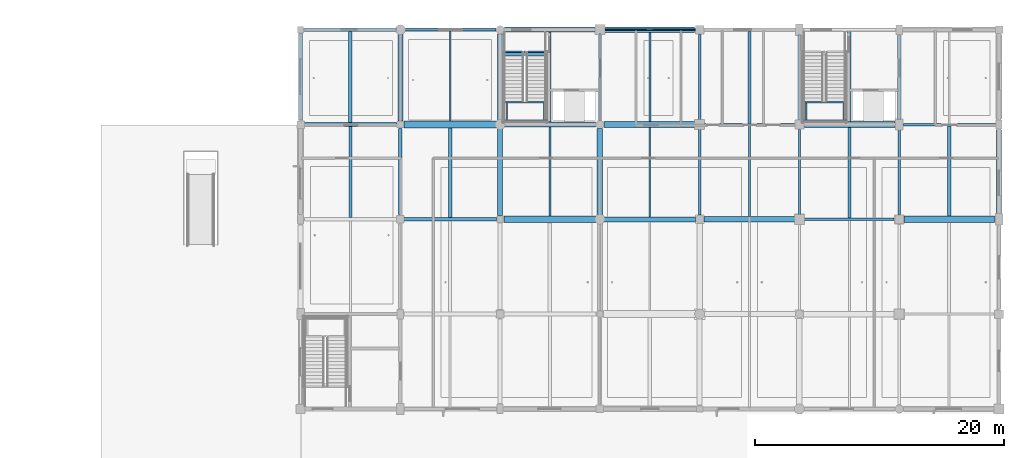
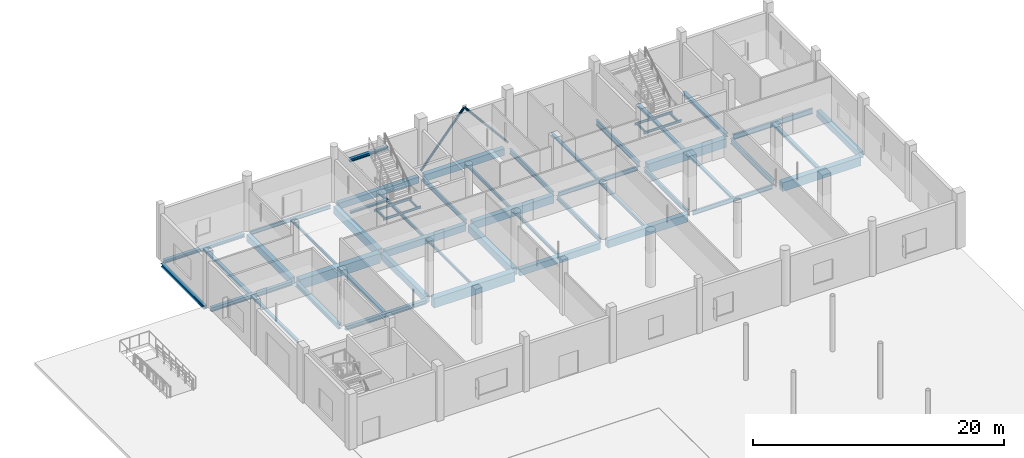
# One storey, part 47 of 126: 54 beams, 2 members.
"""IFC4 building model written with IfcOpenShell, lengths in metres."""

from ifc_helpers import new_model, si_unit, direction, frame, origin, origin_2d, place, context, subcontext, project, spatial, rectangle, hollow_circle, i_section, extrude, material, material_profile, profile_set, type_object, element, save


model = new_model("IFC4")

# Units and contexts
model_context = context("Model", 3, precision=1e-05, world=origin(), true_north=direction((0.0, 1.0)))
body_context = subcontext(model_context, "Body", "Model", "MODEL_VIEW")
ifc_project = project(units=[si_unit("LENGTHUNIT", "METRE"), si_unit("AREAUNIT", "SQUARE_METRE"), si_unit("VOLUMEUNIT", "CUBIC_METRE"), si_unit("PLANEANGLEUNIT", "RADIAN"), si_unit("MASSUNIT", "GRAM", prefix="KILO")], contexts=[model_context])

# Site, building, storey
site_placement = place(None, origin())
site = spatial("IfcSite", under=ifc_project, at=site_placement, CompositionType="ELEMENT")
building_placement = place(site_placement, origin())
building = spatial("IfcBuilding", under=site, at=building_placement, Name="Khelvaren Railside Concert Hall", CompositionType="ELEMENT")
storey_placement = place(building_placement, origin())
storey = spatial("IfcBuildingStorey", under=building, at=storey_placement, Name="L00", CompositionType="ELEMENT", Elevation=0.0)

# Beams
ifc_material_1 = material(Name="Steel S355", Category="steel")
ifc_material_profile_1 = material_profile(ifc_material_1, i_section(OverallWidth=0.300048828125, OverallDepth=0.389892578125, WebThickness=0.010986328125, FlangeThickness=0.01904296875, FilletRadius=0.027099609375, at=origin_2d()), Name="HEA 400")
ifc_profile_set_1 = profile_set([ifc_material_profile_1], Name="Steel S355")
beam_type_1 = type_object("IfcBeamType", Name="BM23", PredefinedType="BEAM", material=ifc_profile_set_1)
for number, where, z_axis, x_axis, name in (
    (1, (136.25, 98.800048828125, -0.514892578125), (1.0, 0.0, 0.0), (0.0, 1.0, 0.0), "V5 L00 Beam X3.2"),
    (2, (128.25, 106.39990234375, -0.514892578125), (1.0, 0.0, 0.0), (0.0, 1.0, 0.0), "V5 L00 Beam X4.1"),
):
    element("IfcBeam", number, at=place(storey_placement, frame(where, z_axis=z_axis, x_axis=x_axis)), inside=storey, type_object=beam_type_1, Name=name, PredefinedType="BEAM", context=body_context, shape_type="SweptSolid", body=[
        extrude(i_section(OverallWidth=0.300048828125, OverallDepth=0.389892578125, WebThickness=0.010986328125, FlangeThickness=0.01904296875, FilletRadius=0.027099609375, at=origin_2d()), origin(), (0.0, 0.0, 1.0), 7.449951171875),
    ])
ifc_material_profile_2 = material_profile(ifc_material_1, i_section(OverallWidth=0.179931640625, OverallDepth=0.39990234375, WebThickness=0.008544921875, FlangeThickness=0.013427734375, FilletRadius=0.02099609375, at=origin_2d()), Name="IPE 400")
ifc_profile_set_2 = profile_set([ifc_material_profile_2], Name="Steel S355")
beam_type_2 = type_object("IfcBeamType", Name="BM29", PredefinedType="BEAM", material=ifc_profile_set_2)
for number, where, z_axis, x_axis, name in (
    (3, (168.27294921875, 98.800048828125, -0.52001953125), (1.0, 0.0, 0.0), (0.0, 1.0, 0.0), "V5 L00 Beam X3.6"),
    (4, (160.27294921875, 106.39990234375, -0.52001953125), (1.0, 0.0, 0.0), (0.0, 1.0, 0.0), "V5 L00 Beam X4.5"),
):
    element("IfcBeam", number, at=place(storey_placement, frame(where, z_axis=z_axis, x_axis=x_axis)), inside=storey, type_object=beam_type_2, Name=name, PredefinedType="BEAM", context=body_context, shape_type="SweptSolid", body=[
        extrude(i_section(OverallWidth=0.179931640625, OverallDepth=0.39990234375, WebThickness=0.008544921875, FlangeThickness=0.013427734375, FilletRadius=0.02099609375, at=origin_2d()), origin(), (0.0, 0.0, 1.0), 7.3271484375),
    ])
for number, where, z_axis, x_axis, name in (
    (5, (152.0, 106.736083984375, -0.52001953125), (0.0, 1.0, 0.0), (-1.0, 0.0, 0.0), "V5 L00 Beam Y4.4"),
    (6, (160.0, 99.135986328125, -0.52001953125), (0.0, 1.0, 0.0), (-1.0, 0.0, 0.0), "V5 L00 Beam Y5.3"),
):
    element("IfcBeam", number, at=place(storey_placement, frame(where, z_axis=z_axis, x_axis=x_axis)), inside=storey, type_object=beam_type_2, Name=name, PredefinedType="BEAM", context=body_context, shape_type="SweptSolid", body=[
        extrude(i_section(OverallWidth=0.179931640625, OverallDepth=0.39990234375, WebThickness=0.008544921875, FlangeThickness=0.013427734375, FilletRadius=0.02099609375, at=origin_2d()), origin(), (0.0, 0.0, 1.0), 6.990966796875),
    ])
ifc_material_2 = material(Name="Concrete C40/50", Category="concrete")
ifc_material_profile_3 = material_profile(ifc_material_2, rectangle(XDim=0.39990234375, YDim=0.64990234375, at=origin_2d()), Name="RCB 400x650")
ifc_profile_set_3 = profile_set([ifc_material_profile_3], Name="Concrete C40/50")
beam_type_3 = type_object("IfcBeamType", Name="BM33", PredefinedType="BEAM", material=ifc_profile_set_3)
for number, where, z_axis, x_axis, name in (
    (7, (152.25, 98.800048828125, -0.64501953125), (1.0, 0.0, 0.0), (0.0, 1.0, 0.0), "V5 L00 Beam X3.4"),
    (8, (144.25, 106.39990234375, -0.64501953125), (1.0, 0.0, 0.0), (0.0, 1.0, 0.0), "V5 L00 Beam X4.3"),
):
    element("IfcBeam", number, at=place(storey_placement, frame(where, z_axis=z_axis, x_axis=x_axis)), inside=storey, type_object=beam_type_3, Name=name, PredefinedType="BEAM", context=body_context, shape_type="SweptSolid", body=[
        extrude(rectangle(XDim=0.39990234375, YDim=0.64990234375, at=origin_2d()), origin(), (0.0, 0.0, 1.0), 7.4140625),
    ])
beam_1_placement = place(storey_placement, frame((136.0, 106.699951171875, -0.64501953125), z_axis=(0.0, 1.0, 0.0), x_axis=(-1.0, 0.0, 0.0)))
element("IfcBeam", 9, at=beam_1_placement, inside=storey, type_object=beam_type_3, Name="V5 L00 Beam Y2.4", PredefinedType="BEAM", context=body_context, shape_type="SweptSolid", body=[
    extrude(rectangle(XDim=0.39990234375, YDim=0.64990234375, at=origin_2d()), origin(), (0.0, 0.0, 1.0), 7.050048828125),
])
beam_2_placement = place(storey_placement, frame((144.0, 99.10009765625, -0.64501953125), z_axis=(0.0, 1.0, 0.0), x_axis=(-1.0, 0.0, 0.0)))
element("IfcBeam", 10, at=beam_2_placement, inside=storey, type_object=beam_type_3, Name="V5 L00 Beam Y3.3", PredefinedType="BEAM", context=body_context, shape_type="SweptSolid", body=[
    extrude(rectangle(XDim=0.39990234375, YDim=0.64990234375, at=origin_2d()), origin(), (0.0, 0.0, 1.0), 7.0498046875),
])
ifc_material_profile_4 = material_profile(ifc_material_1, i_section(OverallWidth=0.239990234375, OverallDepth=0.22998046875, WebThickness=0.007568359375, FlangeThickness=0.011962890625, FilletRadius=0.02099609375, at=origin_2d()), Name="HEA 240")
ifc_profile_set_4 = profile_set([ifc_material_profile_4], Name="Steel S355")
beam_type_4 = type_object("IfcBeamType", Name="BM42", PredefinedType="BEAM", material=ifc_profile_set_4)
beam_3_placement = place(storey_placement, frame((144.344970703125, 112.039306640625, -0.114990234375), z_axis=(1.0, 0.0, 0.0), x_axis=(0.0, 1.0, 0.0)))
element("IfcBeam", 11, at=beam_3_placement, inside=storey, type_object=beam_type_4, Name="ST-09 L00 Stair Foot Trimmer Beam", PredefinedType="BEAM", context=body_context, shape_type="SweptSolid", body=[
    extrude(i_section(OverallWidth=0.239990234375, OverallDepth=0.22998046875, WebThickness=0.007568359375, FlangeThickness=0.011962890625, FilletRadius=0.02099609375, at=origin_2d()), origin(), (0.0, 0.0, 1.0), 3.4951171875),
])
ifc_material_profile_5 = material_profile(ifc_material_1, i_section(OverallWidth=0.199951171875, OverallDepth=0.5, WebThickness=0.01025390625, FlangeThickness=0.01611328125, FilletRadius=0.02099609375, at=origin_2d()), Name="IPE 500")
ifc_profile_set_5 = profile_set([ifc_material_profile_5], Name="Steel S355")
beam_type_5 = type_object("IfcBeamType", Name="BM62", PredefinedType="BEAM", material=ifc_profile_set_5)
beam_4_placement = place(storey_placement, frame((176.35009765625, 106.39990234375, -0.570068359375), z_axis=(1.0, 0.0, 0.0), x_axis=(0.0, 1.0, 0.0)))
element("IfcBeam", 12, at=beam_4_placement, inside=storey, type_object=beam_type_5, Name="V5 L00 Beam X4.7", PredefinedType="BEAM", context=body_context, shape_type="SweptSolid", body=[
    extrude(i_section(OverallWidth=0.199951171875, OverallDepth=0.5, WebThickness=0.01025390625, FlangeThickness=0.01611328125, FilletRadius=0.02099609375, at=origin_2d()), origin(), (0.0, 0.0, 1.0), 7.349853515625),
])
beam_5_placement = place(storey_placement, frame((168.0, 106.800048828125, -0.570068359375), z_axis=(0.0, 1.0, 0.0), x_axis=(-1.0, 0.0, 0.0)))
element("IfcBeam", 13, at=beam_5_placement, inside=storey, type_object=beam_type_5, Name="V5 L00 Beam Y6.4", PredefinedType="BEAM", context=body_context, shape_type="SweptSolid", body=[
    extrude(i_section(OverallWidth=0.199951171875, OverallDepth=0.5, WebThickness=0.01025390625, FlangeThickness=0.01611328125, FilletRadius=0.02099609375, at=origin_2d()), origin(), (0.0, 0.0, 1.0), 6.849853515625),
])
beam_6_placement = place(storey_placement, frame((176.0, 99.199951171875, -0.570068359375), z_axis=(0.0, 1.0, 0.0), x_axis=(-1.0, 0.0, 0.0)))
element("IfcBeam", 14, at=beam_6_placement, inside=storey, type_object=beam_type_5, Name="V5 L00 Beam Y7.3", PredefinedType="BEAM", context=body_context, shape_type="SweptSolid", body=[
    extrude(i_section(OverallWidth=0.199951171875, OverallDepth=0.5, WebThickness=0.01025390625, FlangeThickness=0.01611328125, FilletRadius=0.02099609375, at=origin_2d()), origin(), (0.0, 0.0, 1.0), 6.85009765625),
])
ifc_material_profile_6 = material_profile(ifc_material_1, i_section(OverallWidth=0.300048828125, OverallDepth=0.35009765625, WebThickness=0.010009765625, FlangeThickness=0.017578125, FilletRadius=0.027099609375, at=origin_2d()), Name="HEA 360")
ifc_profile_set_6 = profile_set([ifc_material_profile_6], Name="Steel S355")
beam_type_6 = type_object("IfcBeamType", Name="BM73", PredefinedType="BEAM", material=ifc_profile_set_6)
beam_7_placement = place(storey_placement, frame((176.0, 106.75, -0.4951171875), z_axis=(0.0, 1.0, 0.0), x_axis=(-1.0, 0.0, 0.0)))
element("IfcBeam", 15, at=beam_7_placement, inside=storey, type_object=beam_type_6, Name="V5 L00 Beam Y7.4", PredefinedType="BEAM", context=body_context, shape_type="SweptSolid", body=[
    extrude(i_section(OverallWidth=0.300048828125, OverallDepth=0.35009765625, WebThickness=0.010009765625, FlangeThickness=0.017578125, FilletRadius=0.027099609375, at=origin_2d()), origin(), (0.0, 0.0, 1.0), 6.800048828125),
])
ifc_material_profile_7 = material_profile(ifc_material_2, rectangle(XDim=0.449951171875, YDim=0.75, at=origin_2d()), Name="RCB 450x750")
ifc_profile_set_7 = profile_set([ifc_material_profile_7], Name="Concrete C40/50")
beam_type_7 = type_object("IfcBeamType", Name="BM83", PredefinedType="BEAM", material=ifc_profile_set_7)
for number, where, z_axis, x_axis, name in (
    (16, (160.3359375, 98.800048828125, -0.695068359375), (1.0, 0.0, 0.0), (0.0, 1.0, 0.0), "V5 L00 Beam X3.5"),
    (17, (152.3359375, 106.39990234375, -0.695068359375), (1.0, 0.0, 0.0), (0.0, 1.0, 0.0), "V5 L00 Beam X4.4"),
):
    element("IfcBeam", number, at=place(storey_placement, frame(where, z_axis=z_axis, x_axis=x_axis)), inside=storey, type_object=beam_type_7, Name=name, PredefinedType="BEAM", context=body_context, shape_type="SweptSolid", body=[
        extrude(rectangle(XDim=0.449951171875, YDim=0.75, at=origin_2d()), origin(), (0.0, 0.0, 1.0), 7.39111328125),
    ])
beam_8_placement = place(storey_placement, frame((144.0, 106.64990234375, -0.695068359375), z_axis=(0.0, 1.0, 0.0), x_axis=(-1.0, 0.0, 0.0)))
element("IfcBeam", 18, at=beam_8_placement, inside=storey, type_object=beam_type_7, Name="V5 L00 Beam Y3.4", PredefinedType="BEAM", context=body_context, shape_type="SweptSolid", body=[
    extrude(rectangle(XDim=0.449951171875, YDim=0.75, at=origin_2d()), origin(), (0.0, 0.0, 1.0), 7.01416015625),
])
beam_9_placement = place(storey_placement, frame((152.0, 99.050048828125, -0.695068359375), z_axis=(0.0, 1.0, 0.0), x_axis=(-1.0, 0.0, 0.0)))
element("IfcBeam", 19, at=beam_9_placement, inside=storey, type_object=beam_type_7, Name="V5 L00 Beam Y4.3", PredefinedType="BEAM", context=body_context, shape_type="SweptSolid", body=[
    extrude(rectangle(XDim=0.449951171875, YDim=0.75, at=origin_2d()), origin(), (0.0, 0.0, 1.0), 7.013916015625),
])
ifc_material_profile_8 = material_profile(ifc_material_1, i_section(OverallWidth=0.110107421875, OverallDepth=0.219970703125, WebThickness=0.005859375, FlangeThickness=0.00927734375, FilletRadius=0.011962890625, at=origin_2d()), Name="IPE 220")
ifc_profile_set_8 = profile_set([ifc_material_profile_8], Name="Steel S355")
beam_type_8 = type_object("IfcBeamType", Name="BM87", PredefinedType="BEAM", material=ifc_profile_set_8)
for number, where, z_axis, x_axis, name in (
    (20, (144.344970703125, 108.175048828125, 2.389892578125), (1.0, 0.0, 0.0), (0.0, 1.0, 0.0), "ST-09 L00 Half-Landing Front Beam"),
    (21, (144.344970703125, 106.760009765625, 2.389892578125), (1.0, 0.0, 0.0), (0.0, 1.0, 0.0), "ST-09 L00 Half-Landing Rear Beam"),
):
    element("IfcBeam", number, at=place(storey_placement, frame(where, z_axis=z_axis, x_axis=x_axis)), inside=storey, type_object=beam_type_8, Name=name, PredefinedType="BEAM", context=body_context, shape_type="SweptSolid", body=[
        extrude(i_section(OverallWidth=0.110107421875, OverallDepth=0.219970703125, WebThickness=0.005859375, FlangeThickness=0.00927734375, FilletRadius=0.011962890625, at=origin_2d()), origin(), (0.0, 0.0, 1.0), 3.4951171875),
    ])
for number, where, z_axis, x_axis, name in (
    (22, (144.550048828125, 106.81494140625, 2.389892578125), (0.0, 1.0, 0.0), (-1.0, 0.0, 0.0), "ST-09 L00 Half-Landing Side Tie W"),
    (23, (147.550048828125, 106.81494140625, 2.389892578125), (0.0, 1.0, 0.0), (-1.0, 0.0, 0.0), "ST-09 L00 Half-Landing Side Tie E"),
):
    element("IfcBeam", number, at=place(storey_placement, frame(where, z_axis=z_axis, x_axis=x_axis)), inside=storey, type_object=beam_type_8, Name=name, PredefinedType="BEAM", context=body_context, shape_type="SweptSolid", body=[
        extrude(i_section(OverallWidth=0.110107421875, OverallDepth=0.219970703125, WebThickness=0.005859375, FlangeThickness=0.00927734375, FilletRadius=0.011962890625, at=origin_2d()), origin(), (0.0, 0.0, 1.0), 1.30517578125),
    ])
for number, where, z_axis, x_axis, name in (
    (24, (168.344970703125, 108.175048828125, 2.389892578125), (1.0, 0.0, 0.0), (0.0, 1.0, 0.0), "ST-10 L00 Half-Landing Front Beam"),
    (25, (168.344970703125, 106.760009765625, 2.389892578125), (1.0, 0.0, 0.0), (0.0, 1.0, 0.0), "ST-10 L00 Half-Landing Rear Beam"),
):
    element("IfcBeam", number, at=place(storey_placement, frame(where, z_axis=z_axis, x_axis=x_axis)), inside=storey, type_object=beam_type_8, Name=name, PredefinedType="BEAM", context=body_context, shape_type="SweptSolid", body=[
        extrude(i_section(OverallWidth=0.110107421875, OverallDepth=0.219970703125, WebThickness=0.005859375, FlangeThickness=0.00927734375, FilletRadius=0.011962890625, at=origin_2d()), origin(), (0.0, 0.0, 1.0), 3.4951171875),
    ])
for number, where, z_axis, x_axis, name in (
    (26, (168.550048828125, 106.81494140625, 2.389892578125), (0.0, 1.0, 0.0), (-1.0, 0.0, 0.0), "ST-10 L00 Half-Landing Side Tie W"),
    (27, (171.550048828125, 106.81494140625, 2.389892578125), (0.0, 1.0, 0.0), (-1.0, 0.0, 0.0), "ST-10 L00 Half-Landing Side Tie E"),
):
    element("IfcBeam", number, at=place(storey_placement, frame(where, z_axis=z_axis, x_axis=x_axis)), inside=storey, type_object=beam_type_8, Name=name, PredefinedType="BEAM", context=body_context, shape_type="SweptSolid", body=[
        extrude(i_section(OverallWidth=0.110107421875, OverallDepth=0.219970703125, WebThickness=0.005859375, FlangeThickness=0.00927734375, FilletRadius=0.011962890625, at=origin_2d()), origin(), (0.0, 0.0, 1.0), 1.30517578125),
    ])
ifc_material_profile_9 = material_profile(ifc_material_1, i_section(OverallWidth=0.300048828125, OverallDepth=0.43994140625, WebThickness=0.011474609375, FlangeThickness=0.02099609375, FilletRadius=0.027099609375, at=origin_2d()), Name="HEA 450")
ifc_profile_set_9 = profile_set([ifc_material_profile_9], Name="Steel S355")
beam_type_9 = type_object("IfcBeamType", Name="BM89", PredefinedType="BEAM", material=ifc_profile_set_9)
beam_10_placement = place(storey_placement, frame((136.0, 99.175048828125, -0.5400390625), z_axis=(0.0, 1.0, 0.0), x_axis=(-1.0, 0.0, 0.0)))
element("IfcBeam", 28, at=beam_10_placement, inside=storey, type_object=beam_type_9, Name="V5 L00 Beam Y2.3", PredefinedType="BEAM", context=body_context, shape_type="SweptSolid", body=[
    extrude(i_section(OverallWidth=0.300048828125, OverallDepth=0.43994140625, WebThickness=0.011474609375, FlangeThickness=0.02099609375, FilletRadius=0.027099609375, at=origin_2d()), origin(), (0.0, 0.0, 1.0), 6.925048828125),
])
ifc_material_profile_10 = material_profile(ifc_material_1, i_section(OverallWidth=0.280029296875, OverallDepth=0.27001953125, WebThickness=0.008056640625, FlangeThickness=0.012939453125, FilletRadius=0.02392578125, at=origin_2d()), Name="HEA 280")
ifc_profile_set_10 = profile_set([ifc_material_profile_10], Name="Steel S355")
beam_type_10 = type_object("IfcBeamType", Name="BM93", PredefinedType="BEAM", material=ifc_profile_set_10)
beam_11_placement = place(storey_placement, frame((144.344970703125, 112.139892578125, 4.90673828125), z_axis=(1.0, 0.0, 0.0), x_axis=(0.0, 1.0, 0.0)))
element("IfcBeam", 29, at=beam_11_placement, inside=storey, type_object=beam_type_10, Name="ST-09 L00 Stair Top Arrival Trimmer Beam", PredefinedType="BEAM", context=body_context, shape_type="SweptSolid", body=[
    extrude(i_section(OverallWidth=0.280029296875, OverallDepth=0.27001953125, WebThickness=0.008056640625, FlangeThickness=0.012939453125, FilletRadius=0.02392578125, at=origin_2d()), origin(), (0.0, 0.0, 1.0), 3.4951171875),
])
ifc_material_profile_11 = material_profile(ifc_material_1, i_section(OverallWidth=0.18994140625, OverallDepth=0.449951171875, WebThickness=0.009521484375, FlangeThickness=0.0146484375, FilletRadius=0.02099609375, at=origin_2d()), Name="IPE 450")
ifc_profile_set_11 = profile_set([ifc_material_profile_11], Name="Steel S355")
beam_type_11 = type_object("IfcBeamType", Name="BM95", PredefinedType="BEAM", material=ifc_profile_set_11)
for number, where, z_axis, x_axis, name in (
    (30, (160.0, 106.673095703125, -0.544921875), (0.0, 1.0, 0.0), (-1.0, 0.0, 0.0), "V5 L00 Beam Y5.4"),
    (31, (168.0, 99.072998046875, -0.544921875), (0.0, 1.0, 0.0), (-1.0, 0.0, 0.0), "V5 L00 Beam Y6.3"),
):
    element("IfcBeam", number, at=place(storey_placement, frame(where, z_axis=z_axis, x_axis=x_axis)), inside=storey, type_object=beam_type_11, Name=name, PredefinedType="BEAM", context=body_context, shape_type="SweptSolid", body=[
        extrude(i_section(OverallWidth=0.18994140625, OverallDepth=0.449951171875, WebThickness=0.009521484375, FlangeThickness=0.0146484375, FilletRadius=0.02099609375, at=origin_2d()), origin(), (0.0, 0.0, 1.0), 6.927001953125),
    ])

# Members
ifc_material_profile_12 = material_profile(ifc_material_1, hollow_circle(Radius=0.109619140625, WallThickness=0.012451171875, at=origin_2d()), Name="CHS 219.1x12.5")
ifc_profile_set_12 = profile_set([ifc_material_profile_12], Name="Steel S355")
member_type = type_object("IfcMemberType", Name="BR37", PredefinedType="BRACE", material=ifc_profile_set_12)
for number, where, z_axis, x_axis, name in (
    (32, (152.0, 114.0, 0.050048828125), (0.640180556359, 0.0, 0.768224482335), (0.0, 1.0, 0.0), "V5 L00 Seismic Chevron Brace 57"),
    (33, (160.0, 114.0, 0.050048828125), (-0.640180556359, 0.0, 0.768224482335), (0.0, -1.0, 0.0), "V5 L00 Seismic Chevron Brace 58"),
):
    element("IfcMember", number, at=place(storey_placement, frame(where, z_axis=z_axis, x_axis=x_axis)), inside=storey, type_object=member_type, Name=name, PredefinedType="BRACE", context=body_context, shape_type="SweptSolid", body=[
        extrude(hollow_circle(Radius=0.109619140625, WallThickness=0.012451171875, at=origin_2d()), origin(), (0.0, 0.0, 1.0), 6.248291015625),
    ])

# Beams
ifc_material_profile_13 = material_profile(ifc_material_2, rectangle(XDim=0.550048828125, YDim=0.949951171875, at=origin_2d()), Name="RCB 550x950")
ifc_profile_set_13 = profile_set([ifc_material_profile_13], Name="Concrete C40/50")
beam_type_12 = type_object("IfcBeamType", Name="GR57", PredefinedType="T_BEAM", material=ifc_profile_set_13)
for number, where, z_axis, x_axis, name in (
    (34, (144.300048828125, 98.800048828125, -0.794921875), (1.0, 0.0, 0.0), (0.0, 1.0, 0.0), "V5 L00 T_Beam X3.3"),
    (35, (136.300048828125, 106.39990234375, -0.794921875), (1.0, 0.0, 0.0), (0.0, 1.0, 0.0), "V5 L00 T_Beam X4.2"),
):
    element("IfcBeam", number, at=place(storey_placement, frame(where, z_axis=z_axis, x_axis=x_axis)), inside=storey, type_object=beam_type_12, Name=name, PredefinedType="T_BEAM", context=body_context, shape_type="SweptSolid", body=[
        extrude(rectangle(XDim=0.550048828125, YDim=0.949951171875, at=origin_2d()), origin(), (0.0, 0.0, 1.0), 7.449951171875),
    ])
ifc_material_profile_14 = material_profile(ifc_material_2, rectangle(XDim=0.5, YDim=0.85009765625, at=origin_2d()), Name="RCB 500x850")
ifc_profile_set_14 = profile_set([ifc_material_profile_14], Name="Concrete C40/50")
beam_type_13 = type_object("IfcBeamType", Name="GR96", PredefinedType="T_BEAM", material=ifc_profile_set_14)
for number, where, z_axis, x_axis, name in (
    (36, (176.39990234375, 98.800048828125, -0.7451171875), (1.0, 0.0, 0.0), (0.0, 1.0, 0.0), "V5 L00 T_Beam X3.7"),
    (37, (168.39990234375, 106.39990234375, -0.7451171875), (1.0, 0.0, 0.0), (0.0, 1.0, 0.0), "V5 L00 T_Beam X4.6"),
):
    element("IfcBeam", number, at=place(storey_placement, frame(where, z_axis=z_axis, x_axis=x_axis)), inside=storey, type_object=beam_type_13, Name=name, PredefinedType="T_BEAM", context=body_context, shape_type="SweptSolid", body=[
        extrude(rectangle(XDim=0.5, YDim=0.85009765625, at=origin_2d()), origin(), (0.0, 0.0, 1.0), 7.25),
    ])
ifc_material_profile_15 = material_profile(ifc_material_1, i_section(OverallWidth=0.14990234375, OverallDepth=0.300048828125, WebThickness=0.007080078125, FlangeThickness=0.0107421875, FilletRadius=0.014892578125, at=origin_2d()), Name="IPE 300")
ifc_profile_set_15 = profile_set([ifc_material_profile_15], Name="Steel S355")
beam_type_14 = type_object("IfcBeamType", Name="JS26", PredefinedType="JOIST", material=ifc_profile_set_15)
beam_12_placement = place(storey_placement, frame((148.0, 106.60009765625, -0.469970703125), z_axis=(0.0, 1.0, 0.0), x_axis=(-1.0, 0.0, 0.0)))
element("IfcBeam", 38, at=beam_12_placement, inside=storey, type_object=beam_type_14, Name="V5 L00 Secondary Joist 3.4", PredefinedType="JOIST", context=body_context, shape_type="SweptSolid", body=[
    extrude(i_section(OverallWidth=0.14990234375, OverallDepth=0.300048828125, WebThickness=0.007080078125, FlangeThickness=0.0107421875, FilletRadius=0.014892578125, at=origin_2d()), origin(), (0.0, 0.0, 1.0), 7.199951171875),
])
beam_13_placement = place(storey_placement, frame((156.0, 99.0, -0.469970703125), z_axis=(0.0, 1.0, 0.0), x_axis=(-1.0, 0.0, 0.0)))
element("IfcBeam", 39, at=beam_13_placement, inside=storey, type_object=beam_type_14, Name="V5 L00 Secondary Joist 4.3", PredefinedType="JOIST", context=body_context, shape_type="SweptSolid", body=[
    extrude(i_section(OverallWidth=0.14990234375, OverallDepth=0.300048828125, WebThickness=0.007080078125, FlangeThickness=0.0107421875, FilletRadius=0.014892578125, at=origin_2d()), origin(), (0.0, 0.0, 1.0), 7.175048828125),
])
ifc_material_profile_16 = material_profile(ifc_material_1, i_section(OverallWidth=0.280029296875, OverallDepth=0.27001953125, WebThickness=0.008056640625, FlangeThickness=0.012939453125, FilletRadius=0.02392578125, at=origin_2d()), Name="HEA 280")
ifc_profile_set_16 = profile_set([ifc_material_profile_16], Name="Steel S355")
beam_type_15 = type_object("IfcBeamType", Name="JS46", PredefinedType="JOIST", material=ifc_profile_set_16)
beam_14_placement = place(storey_placement, frame((132.0, 106.550048828125, -0.455078125), z_axis=(0.0, 1.0, 0.0), x_axis=(-1.0, 0.0, 0.0)))
element("IfcBeam", 40, at=beam_14_placement, inside=storey, type_object=beam_type_15, Name="V5 L00 Secondary Joist 1.4", PredefinedType="JOIST", context=body_context, shape_type="SweptSolid", body=[
    extrude(i_section(OverallWidth=0.280029296875, OverallDepth=0.27001953125, WebThickness=0.008056640625, FlangeThickness=0.012939453125, FilletRadius=0.02392578125, at=origin_2d()), origin(), (0.0, 0.0, 1.0), 7.300048828125),
])
beam_15_placement = place(storey_placement, frame((140.0, 98.949951171875, -0.455078125), z_axis=(0.0, 1.0, 0.0), x_axis=(-1.0, 0.0, 0.0)))
element("IfcBeam", 41, at=beam_15_placement, inside=storey, type_object=beam_type_15, Name="V5 L00 Secondary Joist 2.3", PredefinedType="JOIST", context=body_context, shape_type="SweptSolid", body=[
    extrude(i_section(OverallWidth=0.280029296875, OverallDepth=0.27001953125, WebThickness=0.008056640625, FlangeThickness=0.012939453125, FilletRadius=0.02392578125, at=origin_2d()), origin(), (0.0, 0.0, 1.0), 7.175048828125),
])
beam_16_placement = place(storey_placement, frame((172.0, 106.64990234375, -0.455078125), z_axis=(0.0, 1.0, 0.0), x_axis=(-1.0, 0.0, 0.0)))
element("IfcBeam", 42, at=beam_16_placement, inside=storey, type_object=beam_type_15, Name="V5 L00 Secondary Joist 6.4", PredefinedType="JOIST", context=body_context, shape_type="SweptSolid", body=[
    extrude(i_section(OverallWidth=0.280029296875, OverallDepth=0.27001953125, WebThickness=0.008056640625, FlangeThickness=0.012939453125, FilletRadius=0.02392578125, at=origin_2d()), origin(), (0.0, 0.0, 1.0), 7.26513671875),
])
beam_17_placement = place(storey_placement, frame((180.0, 99.050048828125, -0.455078125), z_axis=(0.0, 1.0, 0.0), x_axis=(-1.0, 0.0, 0.0)))
element("IfcBeam", 43, at=beam_17_placement, inside=storey, type_object=beam_type_15, Name="V5 L00 Secondary Joist 7.3", PredefinedType="JOIST", context=body_context, shape_type="SweptSolid", body=[
    extrude(i_section(OverallWidth=0.280029296875, OverallDepth=0.27001953125, WebThickness=0.008056640625, FlangeThickness=0.012939453125, FilletRadius=0.02392578125, at=origin_2d()), origin(), (0.0, 0.0, 1.0), 7.25),
])
ifc_material_profile_17 = material_profile(ifc_material_1, i_section(OverallWidth=0.159912109375, OverallDepth=0.330078125, WebThickness=0.007568359375, FlangeThickness=0.011474609375, FilletRadius=0.01806640625, at=origin_2d()), Name="IPE 330")
ifc_profile_set_17 = profile_set([ifc_material_profile_17], Name="Steel S355")
beam_type_16 = type_object("IfcBeamType", Name="JS65", PredefinedType="JOIST", material=ifc_profile_set_17)
beam_18_placement = place(storey_placement, frame((156.0, 106.625, -0.485107421875), z_axis=(0.0, 1.0, 0.0), x_axis=(-1.0, 0.0, 0.0)))
element("IfcBeam", 44, at=beam_18_placement, inside=storey, type_object=beam_type_16, Name="V5 L00 Secondary Joist 4.4", PredefinedType="JOIST", context=body_context, shape_type="SweptSolid", body=[
    extrude(i_section(OverallWidth=0.159912109375, OverallDepth=0.330078125, WebThickness=0.007568359375, FlangeThickness=0.011474609375, FilletRadius=0.01806640625, at=origin_2d()), origin(), (0.0, 0.0, 1.0), 7.14990234375),
])
beam_19_placement = place(storey_placement, frame((164.0, 99.02490234375, -0.485107421875), z_axis=(0.0, 1.0, 0.0), x_axis=(-1.0, 0.0, 0.0)))
element("IfcBeam", 45, at=beam_19_placement, inside=storey, type_object=beam_type_16, Name="V5 L00 Secondary Joist 5.3", PredefinedType="JOIST", context=body_context, shape_type="SweptSolid", body=[
    extrude(i_section(OverallWidth=0.159912109375, OverallDepth=0.330078125, WebThickness=0.007568359375, FlangeThickness=0.011474609375, FilletRadius=0.01806640625, at=origin_2d()), origin(), (0.0, 0.0, 1.0), 7.28515625),
])
ifc_material_profile_18 = material_profile(ifc_material_1, i_section(OverallWidth=0.239990234375, OverallDepth=0.22998046875, WebThickness=0.007568359375, FlangeThickness=0.011962890625, FilletRadius=0.02099609375, at=origin_2d()), Name="HEA 240")
ifc_profile_set_18 = profile_set([ifc_material_profile_18], Name="Steel S355")
beam_type_17 = type_object("IfcBeamType", Name="JS76", PredefinedType="JOIST", material=ifc_profile_set_18)
beam_20_placement = place(storey_placement, frame((132.0, 98.949951171875, -0.43505859375), z_axis=(0.0, 1.0, 0.0), x_axis=(-1.0, 0.0, 0.0)))
element("IfcBeam", 46, at=beam_20_placement, inside=storey, type_object=beam_type_17, Name="V5 L00 Secondary Joist 1.3", PredefinedType="JOIST", context=body_context, shape_type="SweptSolid", body=[
    extrude(i_section(OverallWidth=0.239990234375, OverallDepth=0.22998046875, WebThickness=0.007568359375, FlangeThickness=0.011962890625, FilletRadius=0.02099609375, at=origin_2d()), origin(), (0.0, 0.0, 1.0), 7.300048828125),
])
beam_21_placement = place(storey_placement, frame((164.0, 106.489990234375, -0.43505859375), z_axis=(0.0, 1.0, 0.0), x_axis=(-1.0, 0.0, 0.0)))
element("IfcBeam", 47, at=beam_21_placement, inside=storey, type_object=beam_type_17, Name="V5 L00 Secondary Joist 5.4", PredefinedType="JOIST", context=body_context, shape_type="SweptSolid", body=[
    extrude(i_section(OverallWidth=0.239990234375, OverallDepth=0.22998046875, WebThickness=0.007568359375, FlangeThickness=0.011962890625, FilletRadius=0.02099609375, at=origin_2d()), origin(), (0.0, 0.0, 1.0), 7.360107421875),
])
beam_22_placement = place(storey_placement, frame((172.0, 98.889892578125, -0.43505859375), z_axis=(0.0, 1.0, 0.0), x_axis=(-1.0, 0.0, 0.0)))
element("IfcBeam", 48, at=beam_22_placement, inside=storey, type_object=beam_type_17, Name="V5 L00 Secondary Joist 6.3", PredefinedType="JOIST", context=body_context, shape_type="SweptSolid", body=[
    extrude(i_section(OverallWidth=0.239990234375, OverallDepth=0.22998046875, WebThickness=0.007568359375, FlangeThickness=0.011962890625, FilletRadius=0.02099609375, at=origin_2d()), origin(), (0.0, 0.0, 1.0), 7.260009765625),
])
ifc_material_profile_19 = material_profile(ifc_material_1, i_section(OverallWidth=0.135009765625, OverallDepth=0.27001953125, WebThickness=0.006591796875, FlangeThickness=0.01025390625, FilletRadius=0.014892578125, at=origin_2d()), Name="IPE 270")
ifc_profile_set_19 = profile_set([ifc_material_profile_19], Name="Steel S355")
beam_type_18 = type_object("IfcBeamType", Name="JS78", PredefinedType="JOIST", material=ifc_profile_set_19)
beam_23_placement = place(storey_placement, frame((140.0, 106.675048828125, -0.455078125), z_axis=(0.0, 1.0, 0.0), x_axis=(-1.0, 0.0, 0.0)))
element("IfcBeam", 49, at=beam_23_placement, inside=storey, type_object=beam_type_18, Name="V5 L00 Secondary Joist 2.4", PredefinedType="JOIST", context=body_context, shape_type="SweptSolid", body=[
    extrude(i_section(OverallWidth=0.135009765625, OverallDepth=0.27001953125, WebThickness=0.006591796875, FlangeThickness=0.01025390625, FilletRadius=0.014892578125, at=origin_2d()), origin(), (0.0, 0.0, 1.0), 7.239990234375),
])
beam_24_placement = place(storey_placement, frame((148.0, 99.074951171875, -0.455078125), z_axis=(0.0, 1.0, 0.0), x_axis=(-1.0, 0.0, 0.0)))
element("IfcBeam", 50, at=beam_24_placement, inside=storey, type_object=beam_type_18, Name="V5 L00 Secondary Joist 3.3", PredefinedType="JOIST", context=body_context, shape_type="SweptSolid", body=[
    extrude(i_section(OverallWidth=0.135009765625, OverallDepth=0.27001953125, WebThickness=0.006591796875, FlangeThickness=0.01025390625, FilletRadius=0.014892578125, at=origin_2d()), origin(), (0.0, 0.0, 1.0), 7.125),
])
ifc_material_profile_20 = material_profile(ifc_material_2, rectangle(XDim=0.449951171875, YDim=0.64990234375, at=origin_2d()), Name="RCB 450x650")
ifc_profile_set_20 = profile_set([ifc_material_profile_20], Name="Concrete C40/50")
beam_type_19 = type_object("IfcBeamType", Name="SP34", PredefinedType="SPANDREL", material=ifc_profile_set_20)
beam_25_placement = place(storey_placement, frame((152.27294921875, 114.0, -0.64501953125), z_axis=(1.0, 0.0, 0.0), x_axis=(0.0, 1.0, 0.0)))
element("IfcBeam", 51, at=beam_25_placement, inside=storey, type_object=beam_type_19, Name="V5 L00 Spandrel X5.4", PredefinedType="SPANDREL", context=body_context, shape_type="SweptSolid", body=[
    extrude(rectangle(XDim=0.449951171875, YDim=0.64990234375, at=origin_2d()), origin(), (0.0, 0.0, 1.0), 7.3271484375),
])
ifc_material_profile_21 = material_profile(ifc_material_1, i_section(OverallWidth=0.300048828125, OverallDepth=0.31005859375, WebThickness=0.009033203125, FlangeThickness=0.015380859375, FilletRadius=0.027099609375, at=origin_2d()), Name="HEA 320")
ifc_profile_set_21 = profile_set([ifc_material_profile_21], Name="Steel S355")
beam_type_20 = type_object("IfcBeamType", Name="SP66", PredefinedType="SPANDREL", material=ifc_profile_set_21)
beam_26_placement = place(storey_placement, frame((128.300048828125, 114.0, -0.47509765625), z_axis=(1.0, 0.0, 0.0), x_axis=(0.0, 1.0, 0.0)))
element("IfcBeam", 52, at=beam_26_placement, inside=storey, type_object=beam_type_20, Name="V5 L00 Spandrel X5.1", PredefinedType="SPANDREL", context=body_context, shape_type="SweptSolid", body=[
    extrude(i_section(OverallWidth=0.300048828125, OverallDepth=0.31005859375, WebThickness=0.009033203125, FlangeThickness=0.015380859375, FilletRadius=0.027099609375, at=origin_2d()), origin(), (0.0, 0.0, 1.0), 7.449951171875),
])
beam_27_placement = place(storey_placement, frame((128.0, 106.77490234375, -0.47509765625), z_axis=(0.0, 1.0, 0.0), x_axis=(-1.0, 0.0, 0.0)))
element("IfcBeam", 53, at=beam_27_placement, inside=storey, type_object=beam_type_20, Name="V5 L00 Spandrel Y1.4", PredefinedType="SPANDREL", context=body_context, shape_type="SweptSolid", body=[
    extrude(i_section(OverallWidth=0.300048828125, OverallDepth=0.31005859375, WebThickness=0.009033203125, FlangeThickness=0.015380859375, FilletRadius=0.027099609375, at=origin_2d()), origin(), (0.0, 0.0, 1.0), 6.925048828125),
])
ifc_material_profile_22 = material_profile(ifc_material_1, i_section(OverallWidth=0.169921875, OverallDepth=0.360107421875, WebThickness=0.008056640625, FlangeThickness=0.0126953125, FilletRadius=0.01806640625, at=origin_2d()), Name="IPE 360")
ifc_profile_set_22 = profile_set([ifc_material_profile_22], Name="Steel S355")
beam_type_21 = type_object("IfcBeamType", Name="SP74", PredefinedType="SPANDREL", material=ifc_profile_set_22)
beam_28_placement = place(storey_placement, frame((136.25, 114.0, -0.5), z_axis=(1.0, 0.0, 0.0), x_axis=(0.0, 1.0, 0.0)))
element("IfcBeam", 54, at=beam_28_placement, inside=storey, type_object=beam_type_21, Name="V5 L00 Spandrel X5.2", PredefinedType="SPANDREL", context=body_context, shape_type="SweptSolid", body=[
    extrude(i_section(OverallWidth=0.169921875, OverallDepth=0.360107421875, WebThickness=0.008056640625, FlangeThickness=0.0126953125, FilletRadius=0.01806640625, at=origin_2d()), origin(), (0.0, 0.0, 1.0), 7.4140625),
])
ifc_material_profile_23 = material_profile(ifc_material_2, rectangle(XDim=0.39990234375, YDim=0.60009765625, at=origin_2d()), Name="RCB 400x600")
ifc_profile_set_23 = profile_set([ifc_material_profile_23], Name="Concrete C40/50")
beam_type_22 = type_object("IfcBeamType", Name="SP75", PredefinedType="SPANDREL", material=ifc_profile_set_23)
beam_29_placement = place(storey_placement, frame((144.3359375, 114.0, -0.6201171875), z_axis=(1.0, 0.0, 0.0), x_axis=(0.0, 1.0, 0.0)))
element("IfcBeam", 55, at=beam_29_placement, inside=storey, type_object=beam_type_22, Name="V5 L00 Spandrel X5.3", PredefinedType="SPANDREL", context=body_context, shape_type="SweptSolid", body=[
    extrude(rectangle(XDim=0.39990234375, YDim=0.60009765625, at=origin_2d()), origin(), (0.0, 0.0, 1.0), 7.39111328125),
])
beam_30_placement = place(storey_placement, frame((184.0, 99.14990234375, -0.6201171875), z_axis=(0.0, 1.0, 0.0), x_axis=(-1.0, 0.0, 0.0)))
element("IfcBeam", 56, at=beam_30_placement, inside=storey, type_object=beam_type_22, Name="V5 L00 Spandrel Y8.3", PredefinedType="SPANDREL", context=body_context, shape_type="SweptSolid", body=[
    extrude(rectangle(XDim=0.39990234375, YDim=0.60009765625, at=origin_2d()), origin(), (0.0, 0.0, 1.0), 6.800048828125),
])

save(model, "model.ifc")
